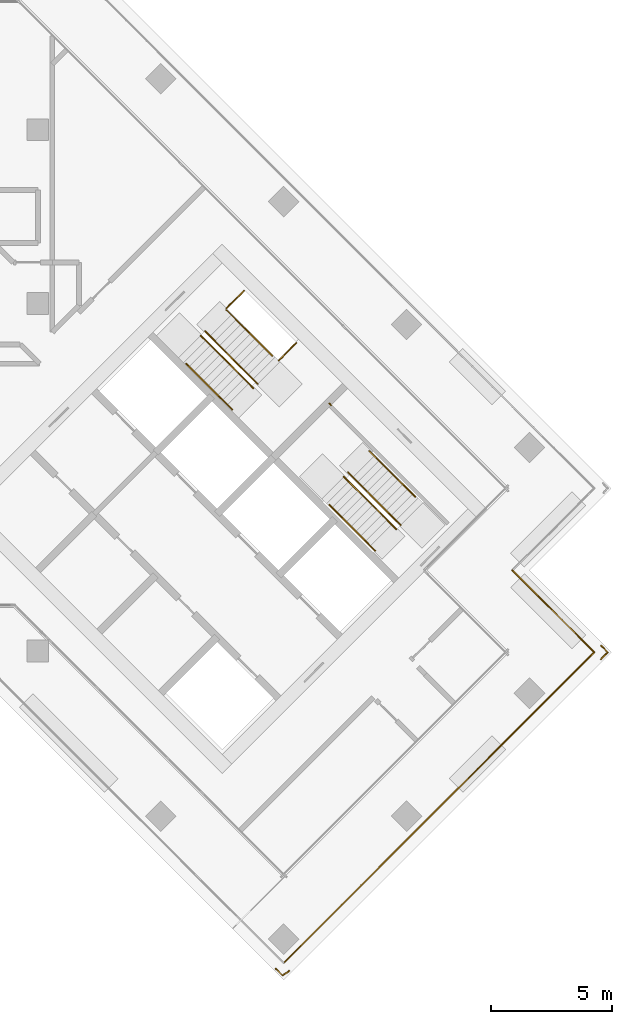
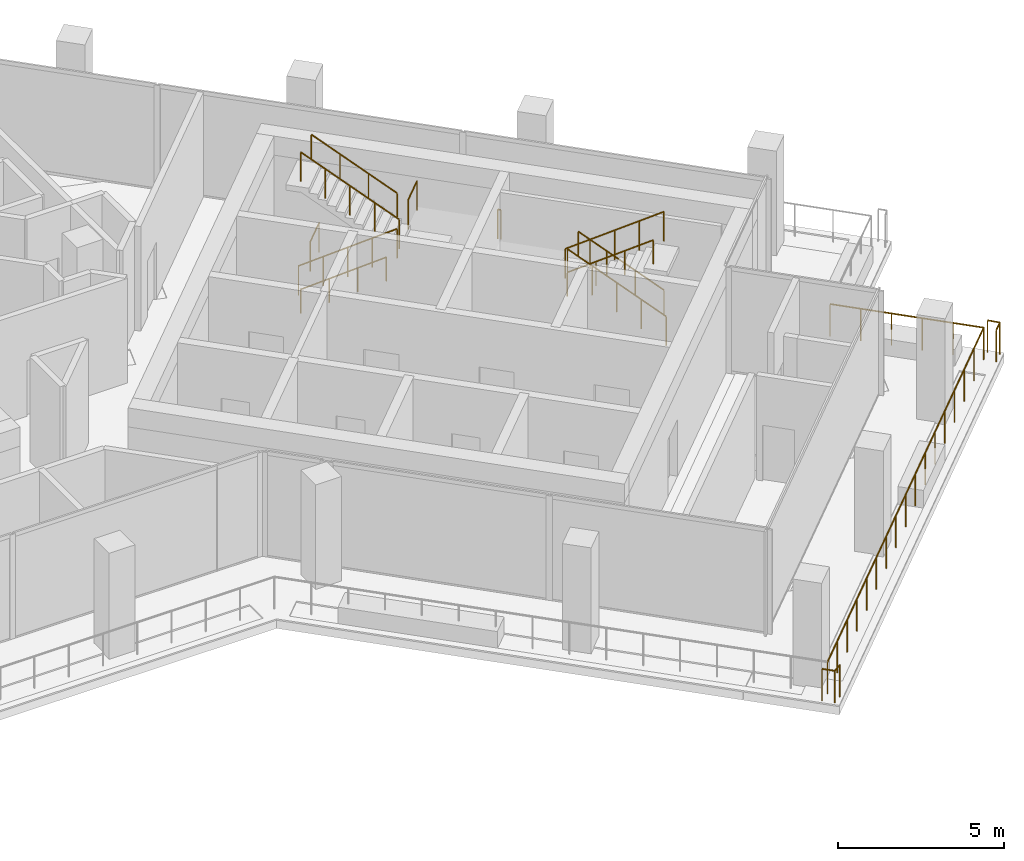
# One storey, part 18 of 19: 17 railings.
"""IFC4 building model written with IfcOpenShell, lengths in metres."""

from ifc_helpers import new_model, si_unit, direction, frame, origin, origin_2d, place, context, subcontext, project, spatial, circle, extrude, material, type_object, element, save


model = new_model("IFC4")

# Units and contexts
model_context = context("Model", 3, precision=1e-05, world=origin(), true_north=direction((0.0, 1.0)))
body_context = subcontext(model_context, "Body", "Model", "MODEL_VIEW")
ifc_project = project(units=[si_unit("LENGTHUNIT", "METRE"), si_unit("AREAUNIT", "SQUARE_METRE"), si_unit("VOLUMEUNIT", "CUBIC_METRE"), si_unit("PLANEANGLEUNIT", "RADIAN"), si_unit("MASSUNIT", "GRAM", prefix="KILO")], contexts=[model_context])

# Site, building, storey
site_placement = place(None, origin())
site = spatial("IfcSite", under=ifc_project, at=site_placement, CompositionType="ELEMENT")
building_placement = place(site_placement, origin())
building = spatial("IfcBuilding", under=site, at=building_placement, Name="Windrow Commons", CompositionType="ELEMENT")
storey_placement = place(building_placement, frame((0.0, 0.0, 185.4)))
storey = spatial("IfcBuildingStorey", under=building, at=storey_placement, Name="L50", CompositionType="ELEMENT", Elevation=185.4)

# Railings
ifc_material_1 = material(Name="Steel S355", Category="steel")
railing_type_1 = type_object("IfcRailingType", Name="Core stair guard 1100", PredefinedType="GUARDRAIL", material=ifc_material_1)
railing_1_placement = place(storey_placement, frame((85.9529, 56.2669, 0.175)))
element("IfcRailing", 1, at=railing_1_placement, inside=storey, type_object=railing_type_1, Name="L50 ST-B1 stair guard 1", PredefinedType="GUARDRAIL", context=body_context, shape_type="SweptSolid", body=[
    extrude(circle(Radius=0.024, at=origin_2d()), frame((0.0, 0.0, 1.076), z_axis=(0.5996262107, -0.5996262107, 0.5299969951), x_axis=(0.7071067812, 0.7071067812, 0.0)), (0.0, 0.0, 1.0), 3.6321),
    extrude(circle(Radius=0.021, at=origin_2d()), origin(), (0.0, 0.0, 1.0), 1.052),
    extrude(circle(Radius=0.021, at=origin_2d()), frame((0.5445, -0.5445, 0.4813)), (0.0, 0.0, 1.0), 1.052),
    extrude(circle(Radius=0.021, at=origin_2d()), frame((1.0889, -1.089, 0.9625)), (0.0, 0.0, 1.0), 1.052),
    extrude(circle(Radius=0.021, at=origin_2d()), frame((1.6334, -1.6334, 1.4438)), (0.0, 0.0, 1.0), 1.052),
    extrude(circle(Radius=0.021, at=origin_2d()), frame((2.1779, -2.1779, 1.925)), (0.0, 0.0, 1.0), 1.052),
])
railing_2_placement = place(storey_placement, frame((88.3075, 54.2658, 2.275)))
element("IfcRailing", 2, at=railing_2_placement, inside=storey, type_object=railing_type_1, Name="L50 ST-B1 stair guard 2", PredefinedType="GUARDRAIL", context=body_context, shape_type="SweptSolid", body=[
    extrude(circle(Radius=0.024, at=origin_2d()), frame((0.0, 0.0, 1.076), z_axis=(-0.5996262107, 0.5996262107, 0.5299969951), x_axis=(-0.7071067812, -0.7071067812, 0.0)), (0.0, 0.0, 1.0), 3.6321),
    extrude(circle(Radius=0.021, at=origin_2d()), origin(), (0.0, 0.0, 1.0), 1.052),
    extrude(circle(Radius=0.021, at=origin_2d()), frame((-0.5445, 0.5445, 0.4812)), (0.0, 0.0, 1.0), 1.052),
    extrude(circle(Radius=0.021, at=origin_2d()), frame((-1.089, 1.089, 0.9625)), (0.0, 0.0, 1.0), 1.052),
    extrude(circle(Radius=0.021, at=origin_2d()), frame((-1.6334, 1.6334, 1.4437)), (0.0, 0.0, 1.0), 1.052),
    extrude(circle(Radius=0.021, at=origin_2d()), frame((-2.1779, 2.1779, 1.925)), (0.0, 0.0, 1.0), 1.052),
])
railing_3_placement = place(storey_placement, frame((87.0135, 57.3982, 0.0)))
element("IfcRailing", 3, at=railing_3_placement, inside=storey, type_object=railing_type_1, Name="L50 ST-B1 stair guard 3", PredefinedType="GUARDRAIL", context=body_context, shape_type="SweptSolid", body=[
    extrude(circle(Radius=0.024, at=origin_2d()), frame((0.0, 0.0, 1.076), z_axis=(0.7070582378, 0.7071553212, 0.0), x_axis=(-0.7071553212, 0.7070582378, 0.0)), (0.0, 0.0, 1.0), 1.03),
    extrude(circle(Radius=0.021, at=origin_2d()), origin(), (0.0, 0.0, 1.0), 1.052),
    extrude(circle(Radius=0.021, at=origin_2d()), frame((0.7283, 0.7284, 0.0)), (0.0, 0.0, 1.0), 1.052),
])
railing_4_placement = place(storey_placement, frame((89.1773, 55.2345, 2.1)))
element("IfcRailing", 4, at=railing_4_placement, inside=storey, type_object=railing_type_1, Name="L50 ST-B1 stair guard 4", PredefinedType="GUARDRAIL", context=body_context, shape_type="SweptSolid", body=[
    extrude(circle(Radius=0.024, at=origin_2d()), frame((0.0, 0.0, 1.076), z_axis=(0.7071067812, 0.7071067812, 0.0), x_axis=(-0.7071067812, 0.7071067812, 0.0)), (0.0, 0.0, 1.0), 1.03),
    extrude(circle(Radius=0.021, at=origin_2d()), origin(), (0.0, 0.0, 1.0), 1.052),
    extrude(circle(Radius=0.021, at=origin_2d()), frame((0.7283, 0.7283, 0.0)), (0.0, 0.0, 1.0), 1.052),
])
railing_5_placement = place(storey_placement, frame((94.2296, 48.4215, 0.175)))
element("IfcRailing", 5, at=railing_5_placement, inside=storey, type_object=railing_type_1, Name="L50 ST-B2 stair guard 1", PredefinedType="GUARDRAIL", context=body_context, shape_type="SweptSolid", body=[
    extrude(circle(Radius=0.024, at=origin_2d()), frame((0.0, 0.0, 1.076), z_axis=(-0.5996262107, 0.5996262107, 0.5299969951), x_axis=(-0.7071067812, -0.7071067812, 0.0)), (0.0, 0.0, 1.0), 3.6321),
    extrude(circle(Radius=0.021, at=origin_2d()), origin(), (0.0, 0.0, 1.0), 1.052),
    extrude(circle(Radius=0.021, at=origin_2d()), frame((-0.5445, 0.5445, 0.4813)), (0.0, 0.0, 1.0), 1.052),
    extrude(circle(Radius=0.021, at=origin_2d()), frame((-1.089, 1.089, 0.9625)), (0.0, 0.0, 1.0), 1.052),
    extrude(circle(Radius=0.021, at=origin_2d()), frame((-1.6334, 1.6334, 1.4438)), (0.0, 0.0, 1.0), 1.052),
    extrude(circle(Radius=0.021, at=origin_2d()), frame((-2.1779, 2.1779, 1.925)), (0.0, 0.0, 1.0), 1.052),
])
railing_6_placement = place(storey_placement, frame((91.8749, 50.4226, 2.275)))
element("IfcRailing", 6, at=railing_6_placement, inside=storey, type_object=railing_type_1, Name="L50 ST-B2 stair guard 2", PredefinedType="GUARDRAIL", context=body_context, shape_type="SweptSolid", body=[
    extrude(circle(Radius=0.024, at=origin_2d()), frame((0.0, 0.0, 1.076), z_axis=(0.5996262107, -0.5996262107, 0.5299969951), x_axis=(0.7071067812, 0.7071067812, 0.0)), (0.0, 0.0, 1.0), 3.6321),
    extrude(circle(Radius=0.021, at=origin_2d()), origin(), (0.0, 0.0, 1.0), 1.052),
    extrude(circle(Radius=0.021, at=origin_2d()), frame((0.5445, -0.5445, 0.4812)), (0.0, 0.0, 1.0), 1.052),
    extrude(circle(Radius=0.021, at=origin_2d()), frame((1.089, -1.089, 0.9625)), (0.0, 0.0, 1.0), 1.052),
    extrude(circle(Radius=0.021, at=origin_2d()), frame((1.6334, -1.6334, 1.4437)), (0.0, 0.0, 1.0), 1.052),
    extrude(circle(Radius=0.021, at=origin_2d()), frame((2.1779, -2.1779, 1.925)), (0.0, 0.0, 1.0), 1.052),
])
railing_7_placement = place(storey_placement, frame((91.3446, 53.3854, 2.1)))
element("IfcRailing", 7, at=railing_7_placement, inside=storey, type_object=railing_type_1, Name="L50 ST-B2 stair guard 3", PredefinedType="GUARDRAIL", context=body_context, shape_type="SweptSolid", body=[
    extrude(circle(Radius=0.024, at=origin_2d()), frame((0.0, 0.0, 1.076), z_axis=(-0.7076063266, 0.7066068826, 0.0), x_axis=(-0.7066068826, -0.7076063266, 0.0)), (0.0, 0.0, 1.0), 0.1001),
    extrude(circle(Radius=0.021, at=origin_2d()), origin(), (0.0, 0.0, 1.0), 1.052),
    extrude(circle(Radius=0.021, at=origin_2d()), frame((-0.0708, 0.0707, 0.0)), (0.0, 0.0, 1.0), 1.052),
])
ifc_material_2 = material(Name="Steel S355", Category="steel")
railing_type_2 = type_object("IfcRailingType", Name="Core stair handrail 900", PredefinedType="HANDRAIL", material=ifc_material_2)
railing_8_placement = place(storey_placement, frame((85.3518, 55.1001, 0.425)))
element("IfcRailing", 8, at=railing_8_placement, inside=storey, type_object=railing_type_2, Name="L50 ST-B1 stair handrail 1", PredefinedType="HANDRAIL", context=body_context, shape_type="SweptSolid", body=[
    extrude(circle(Radius=0.024, at=origin_2d()), frame((0.0, 0.0, 0.876), z_axis=(0.599641512, -0.5996098703, 0.5299981703), x_axis=(0.7070881243, 0.7071254376, 0.0)), (0.0, 0.0, 1.0), 3.1604),
    extrude(circle(Radius=0.021, at=origin_2d()), origin(), (0.0, 0.0, 1.0), 0.852),
    extrude(circle(Radius=0.021, at=origin_2d()), frame((0.6317, -0.6317, 0.5583)), (0.0, 0.0, 1.0), 0.852),
    extrude(circle(Radius=0.021, at=origin_2d()), frame((1.2634, -1.2633, 1.1167)), (0.0, 0.0, 1.0), 0.852),
    extrude(circle(Radius=0.021, at=origin_2d()), frame((1.8951, -1.895, 1.675)), (0.0, 0.0, 1.0), 0.852),
])
for number, where, name in (
    (9, (88.9086, 55.4325, 2.525), "L50 ST-B1 stair handrail 2"),
    (10, (94.8306, 49.5883, 0.425), "L50 ST-B2 stair handrail 1"),
):
    element("IfcRailing", number, at=place(storey_placement, frame(where)), inside=storey, type_object=railing_type_2, Name=name, PredefinedType="HANDRAIL", context=body_context, shape_type="SweptSolid", body=[
        extrude(circle(Radius=0.024, at=origin_2d()), frame((0.0, 0.0, 0.876), z_axis=(-0.599641512, 0.5996098703, 0.5299981703), x_axis=(-0.7070881243, -0.7071254376, 0.0)), (0.0, 0.0, 1.0), 3.1604),
        extrude(circle(Radius=0.021, at=origin_2d()), origin(), (0.0, 0.0, 1.0), 0.852),
        extrude(circle(Radius=0.021, at=origin_2d()), frame((-0.6317, 0.6317, 0.5583)), (0.0, 0.0, 1.0), 0.852),
        extrude(circle(Radius=0.021, at=origin_2d()), frame((-1.2634, 1.2633, 1.1167)), (0.0, 0.0, 1.0), 0.852),
        extrude(circle(Radius=0.021, at=origin_2d()), frame((-1.8951, 1.895, 1.675)), (0.0, 0.0, 1.0), 0.852),
    ])
railing_9_placement = place(storey_placement, frame((91.2738, 49.2559, 2.525)))
element("IfcRailing", 11, at=railing_9_placement, inside=storey, type_object=railing_type_2, Name="L50 ST-B2 stair handrail 2", PredefinedType="HANDRAIL", context=body_context, shape_type="SweptSolid", body=[
    extrude(circle(Radius=0.024, at=origin_2d()), frame((0.0, 0.0, 0.876), z_axis=(0.599641512, -0.5996098703, 0.5299981703), x_axis=(0.7070881243, 0.7071254376, 0.0)), (0.0, 0.0, 1.0), 3.1604),
    extrude(circle(Radius=0.021, at=origin_2d()), origin(), (0.0, 0.0, 1.0), 0.852),
    extrude(circle(Radius=0.021, at=origin_2d()), frame((0.6317, -0.6317, 0.5583)), (0.0, 0.0, 1.0), 0.852),
    extrude(circle(Radius=0.021, at=origin_2d()), frame((1.2634, -1.2633, 1.1167)), (0.0, 0.0, 1.0), 0.852),
    extrude(circle(Radius=0.021, at=origin_2d()), frame((1.8951, -1.895, 1.675)), (0.0, 0.0, 1.0), 0.852),
])
ifc_material_3 = material(Name="Stainless steel S316 balustrade with toughened glass infill", Category="steel")
railing_type_3 = type_object("IfcRailingType", Name="Terrace guard 1200 podium", PredefinedType="BALUSTRADE", material=ifc_material_3)
railing_10_placement = place(storey_placement, frame((98.8576, 46.5442, 0.05)))
element("IfcRailing", 12, at=railing_10_placement, inside=storey, type_object=railing_type_3, Name="Guard TR-L50-1.E12", PredefinedType="BALUSTRADE", context=body_context, shape_type="SweptSolid", body=[
    extrude(circle(Radius=0.025, at=origin_2d()), frame((0.0, 0.0, 1.175), z_axis=(0.7070963646, -0.7071171977, 0.0), x_axis=(0.7071171977, 0.7070963646, 0.0)), (0.0, 0.0, 1.0), 4.8001),
    extrude(circle(Radius=0.02, at=origin_2d()), origin(), (0.0, 0.0, 1.0), 1.15),
    extrude(circle(Radius=0.02, at=origin_2d()), frame((0.6788, -0.6788, 0.0)), (0.0, 0.0, 1.0), 1.15),
    extrude(circle(Radius=0.02, at=origin_2d()), frame((1.3576, -1.3577, 0.0)), (0.0, 0.0, 1.0), 1.15),
    extrude(circle(Radius=0.02, at=origin_2d()), frame((2.0365, -2.0365, 0.0)), (0.0, 0.0, 1.0), 1.15),
    extrude(circle(Radius=0.02, at=origin_2d()), frame((2.7153, -2.7154, 0.0)), (0.0, 0.0, 1.0), 1.15),
    extrude(circle(Radius=0.02, at=origin_2d()), frame((3.3941, -3.3942, 0.0)), (0.0, 0.0, 1.0), 1.15),
])
railing_11_placement = place(storey_placement, frame((102.2517, 43.15, 0.05)))
element("IfcRailing", 13, at=railing_11_placement, inside=storey, type_object=railing_type_3, Name="Guard TR-L50-1.E13", PredefinedType="BALUSTRADE", context=body_context, shape_type="SweptSolid", body=[
    extrude(circle(Radius=0.025, at=origin_2d()), frame((0.0, 0.0, 1.175), z_axis=(-0.7071095284, -0.7071040339, 0.0), x_axis=(0.7071040339, -0.7071095284, 0.0)), (0.0, 0.0, 1.0), 18.2),
    extrude(circle(Radius=0.02, at=origin_2d()), origin(), (0.0, 0.0, 1.0), 1.15),
    extrude(circle(Radius=0.02, at=origin_2d()), frame((-0.8043, -0.8043, 0.0)), (0.0, 0.0, 1.0), 1.15),
    extrude(circle(Radius=0.02, at=origin_2d()), frame((-1.6087, -1.6087, 0.0)), (0.0, 0.0, 1.0), 1.15),
    extrude(circle(Radius=0.02, at=origin_2d()), frame((-2.413, -2.413, 0.0)), (0.0, 0.0, 1.0), 1.15),
    extrude(circle(Radius=0.02, at=origin_2d()), frame((-3.2173, -3.2173, 0.0)), (0.0, 0.0, 1.0), 1.15),
    extrude(circle(Radius=0.02, at=origin_2d()), frame((-4.0217, -4.0217, 0.0)), (0.0, 0.0, 1.0), 1.15),
    extrude(circle(Radius=0.02, at=origin_2d()), frame((-4.826, -4.826, 0.0)), (0.0, 0.0, 1.0), 1.15),
    extrude(circle(Radius=0.02, at=origin_2d()), frame((-5.6304, -5.6303, 0.0)), (0.0, 0.0, 1.0), 1.15),
    extrude(circle(Radius=0.02, at=origin_2d()), frame((-6.4347, -6.4346, 0.0)), (0.0, 0.0, 1.0), 1.15),
    extrude(circle(Radius=0.02, at=origin_2d()), frame((-7.239, -7.239, 0.0)), (0.0, 0.0, 1.0), 1.15),
    extrude(circle(Radius=0.02, at=origin_2d()), frame((-8.0434, -8.0433, 0.0)), (0.0, 0.0, 1.0), 1.15),
    extrude(circle(Radius=0.02, at=origin_2d()), frame((-8.8477, -8.8476, 0.0)), (0.0, 0.0, 1.0), 1.15),
    extrude(circle(Radius=0.02, at=origin_2d()), frame((-9.652, -9.652, 0.0)), (0.0, 0.0, 1.0), 1.15),
    extrude(circle(Radius=0.02, at=origin_2d()), frame((-10.4564, -10.4563, 0.0)), (0.0, 0.0, 1.0), 1.15),
    extrude(circle(Radius=0.02, at=origin_2d()), frame((-11.2607, -11.2606, 0.0)), (0.0, 0.0, 1.0), 1.15),
    extrude(circle(Radius=0.02, at=origin_2d()), frame((-12.0651, -12.065, 0.0)), (0.0, 0.0, 1.0), 1.15),
    extrude(circle(Radius=0.02, at=origin_2d()), frame((-12.8694, -12.8693, 0.0)), (0.0, 0.0, 1.0), 1.15),
])
railing_12_placement = place(storey_placement, frame((89.6173, 29.95, 0.05)))
element("IfcRailing", 14, at=railing_12_placement, inside=storey, type_object=railing_type_3, Name="Guard TR-L50-1.C184", PredefinedType="BALUSTRADE", context=body_context, shape_type="SweptSolid", body=[
    extrude(circle(Radius=0.025, at=origin_2d()), frame((0.0, 0.0, 1.175), z_axis=(-0.8343111069, -0.5512939116, 0.0), x_axis=(0.5512939116, -0.8343111069, 0.0)), (0.0, 0.0, 1.0), 0.3392),
    extrude(circle(Radius=0.02, at=origin_2d()), origin(), (0.0, 0.0, 1.0), 1.15),
    extrude(circle(Radius=0.02, at=origin_2d()), frame((-0.283, -0.187, 0.0)), (0.0, 0.0, 1.0), 1.15),
])
railing_13_placement = place(storey_placement, frame((89.3343, 29.763, 0.05)))
element("IfcRailing", 15, at=railing_13_placement, inside=storey, type_object=railing_type_3, Name="Guard TR-L50-1.C185", PredefinedType="BALUSTRADE", context=body_context, shape_type="SweptSolid", body=[
    extrude(circle(Radius=0.025, at=origin_2d()), frame((0.0, 0.0, 1.175), z_axis=(-0.7071067812, 0.7071067812, 0.0), x_axis=(-0.7071067812, -0.7071067812, 0.0)), (0.0, 0.0, 1.0), 0.4002),
    extrude(circle(Radius=0.02, at=origin_2d()), origin(), (0.0, 0.0, 1.0), 1.15),
    extrude(circle(Radius=0.02, at=origin_2d()), frame((-0.283, 0.283, 0.0)), (0.0, 0.0, 1.0), 1.15),
])
railing_14_placement = place(storey_placement, frame((102.5426, 43.4247, 0.05)))
element("IfcRailing", 16, at=railing_14_placement, inside=storey, type_object=railing_type_3, Name="Guard TR-L50-1.C186", PredefinedType="BALUSTRADE", context=body_context, shape_type="SweptSolid", body=[
    extrude(circle(Radius=0.025, at=origin_2d()), frame((0.0, 0.0, 1.175), z_axis=(0.6858299701, -0.72776181, 0.0), x_axis=(0.72776181, 0.6858299701, 0.0)), (0.0, 0.0, 1.0), 0.3887),
    extrude(circle(Radius=0.02, at=origin_2d()), origin(), (0.0, 0.0, 1.0), 1.15),
    extrude(circle(Radius=0.02, at=origin_2d()), frame((0.2666, -0.2829, 0.0)), (0.0, 0.0, 1.0), 1.15),
])
railing_15_placement = place(storey_placement, frame((102.8092, 43.1418, 0.05)))
element("IfcRailing", 17, at=railing_15_placement, inside=storey, type_object=railing_type_3, Name="Guard TR-L50-1.C187", PredefinedType="BALUSTRADE", context=body_context, shape_type="SweptSolid", body=[
    extrude(circle(Radius=0.025, at=origin_2d()), frame((0.0, 0.0, 1.175), z_axis=(-0.7071067812, -0.7071067812, 0.0), x_axis=(0.7071067812, -0.7071067812, 0.0)), (0.0, 0.0, 1.0), 0.4002),
    extrude(circle(Radius=0.02, at=origin_2d()), origin(), (0.0, 0.0, 1.0), 1.15),
    extrude(circle(Radius=0.02, at=origin_2d()), frame((-0.283, -0.283, 0.0)), (0.0, 0.0, 1.0), 1.15),
])

save(model, "model.ifc")
